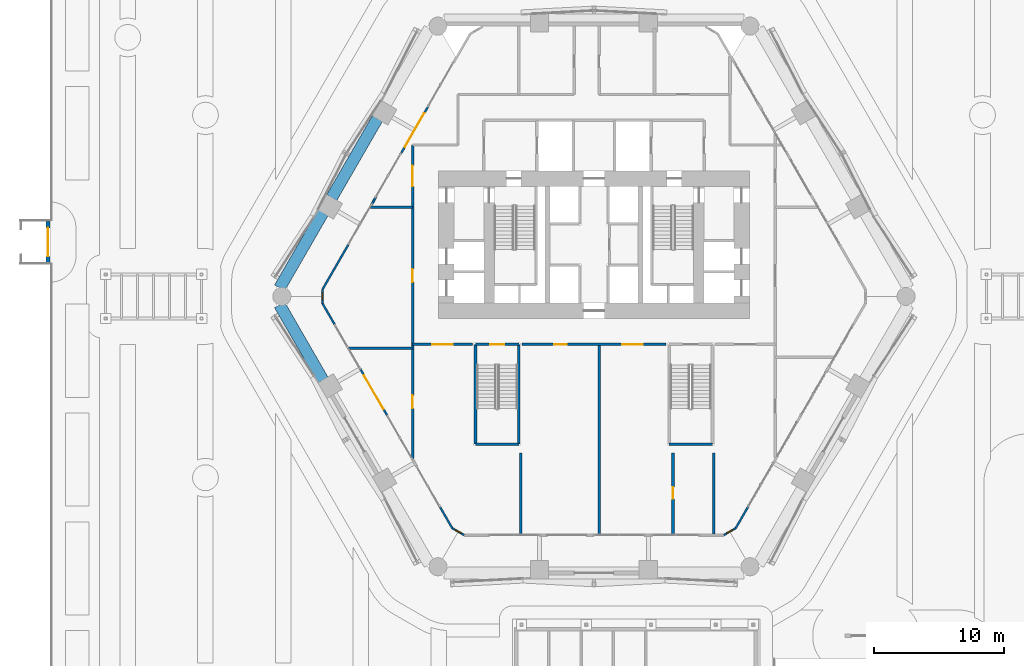
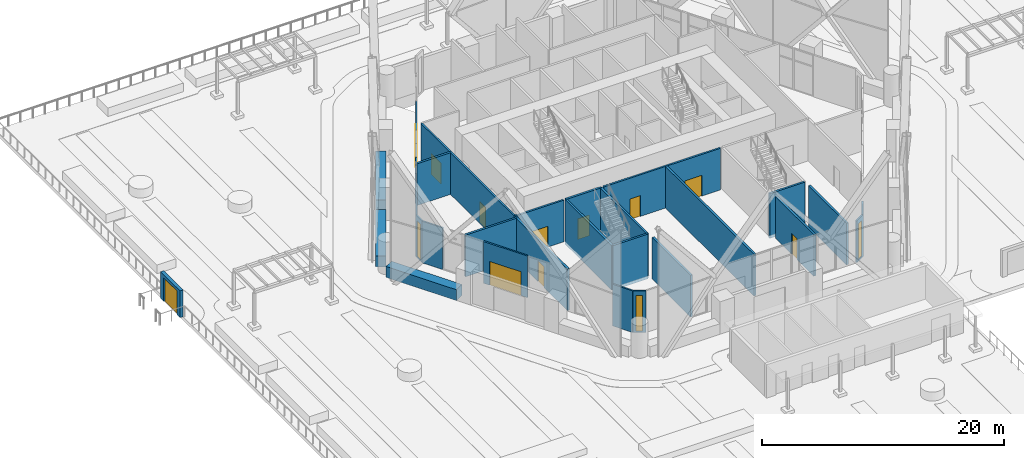
# One storey, part 53 of 71: 29 walls, 11 doors, 3 windows, 14 openings.
"""IFC4 building model written with IfcOpenShell, lengths in metres."""

from ifc_helpers import new_model, si_unit, direction, frame, frame_2d, origin, place, context, subcontext, project, spatial, rectangle, extrude, material, layer, layer_set, type_object, element, fill, save


model = new_model("IFC4")

# Units and contexts
model_context = context("Model", 3, precision=1e-05, world=origin(), true_north=direction((0.0, 1.0)))
body_context = subcontext(model_context, "Body", "Model", "MODEL_VIEW")
ifc_project = project(units=[si_unit("LENGTHUNIT", "METRE"), si_unit("AREAUNIT", "SQUARE_METRE"), si_unit("VOLUMEUNIT", "CUBIC_METRE"), si_unit("PLANEANGLEUNIT", "RADIAN"), si_unit("MASSUNIT", "GRAM", prefix="KILO")], contexts=[model_context])

# Site, building, storey
site_placement = place(None, origin())
site = spatial("IfcSite", under=ifc_project, at=site_placement, CompositionType="ELEMENT")
building_placement = place(site_placement, origin())
building = spatial("IfcBuilding", under=site, at=building_placement, Name="Ostrander Bayou Hotel Tower", CompositionType="ELEMENT")
storey_placement = place(building_placement, frame((0.0, 0.0, 10.0)))
storey = spatial("IfcBuildingStorey", under=building, at=storey_placement, Name="L02", CompositionType="ELEMENT", Elevation=10.0)

# Wall, opening, door
ifc_material_1 = material(Name="Aluminium framed insulated wall", Category="aluminium")
ifc_layer_1 = layer(ifc_material_1, 0.14990234375)
ifc_layer_set_1 = layer_set([ifc_layer_1], Name="GW1 glass-line wall 150 mm")
wall_type_1 = type_object("IfcWallType", Name="GW1 glass-line wall 150 mm", PredefinedType="SOLIDWALL", material=ifc_layer_set_1)
wall_1_placement = place(storey_placement, frame((-12.806396484375, 14.66845703125, 0.0), z_axis=(0.0, 0.0, 1.0), x_axis=(-0.500027713859, -0.866009402589, 0.0)))
wall_1 = element("IfcWall", 1, at=wall_1_placement, inside=storey, type_object=wall_type_1, Name="GW1 L02 NW 2", PredefinedType="SOLIDWALL", context=body_context, shape_type="SweptSolid", body=[
    extrude(rectangle(XDim=4.199951171875, YDim=0.14990234375, at=frame_2d((2.10009765625, 0.0))), origin(), (0.0, 0.0, 1.0), 4.199951171875),
])
opening_1_placement = place(wall_1_placement, frame((0.60009765625, 0.0, 0.0)))
opening_1 = element("IfcOpeningElement", 2, at=opening_1_placement, cuts=wall_1, Name="Opening T02-803", PredefinedType="OPENING", context=body_context, shape_type="SweptSolid", body=[
    extrude(rectangle(XDim=3.0, YDim=2.39990234375, at=frame_2d((1.5, 1.199951171875))), frame((0.0, 0.074951171875, 0.0), z_axis=(0.0, -1.0, 0.0), x_axis=(1.0, 0.0, 0.0)), (0.0, 0.0, 1.0), 0.14990234375),
])
ifc_material_2 = material(Name="Aluminium and clear glass", Category="aluminium")
door_type_1 = type_object("IfcDoorType", Name="SD5 sliding glass door 3000 mm", OperationType="SLIDING_TO_LEFT", PredefinedType="DOOR", material=ifc_material_2)
door_1_placement = place(opening_1_placement, origin())
door_1 = element("IfcDoor", 3, at=door_1_placement, inside=storey, type_object=door_type_1, Name="SD5 L02 NW 2", OperationType="SLIDING_TO_RIGHT", OverallHeight=2.39990234375, OverallWidth=3.0, PredefinedType="DOOR", context=body_context, shape_type="SweptSolid", body=[
    extrude(rectangle(XDim=3.0, YDim=2.39990234375, at=frame_2d((1.5, 1.199951171875))), frame((0.0, 0.02490234375, 0.0), z_axis=(0.0, -1.0, 0.0), x_axis=(1.0, 0.0, 0.0)), (0.0, 0.0, 1.0), 0.050048828125),
])
fill(opening_1, door_1)

# Walls
wall_2_placement = place(storey_placement, frame((-18.95654296875, 4.016357421875, 0.0), z_axis=(0.0, 0.0, 1.0), x_axis=(-0.500009633848, -0.866019841608, 0.0)))
element("IfcWall", 4, at=wall_2_placement, inside=storey, type_object=wall_type_1, Name="GW1 L02 NW end 2", PredefinedType="SOLIDWALL", context=body_context, shape_type="SweptSolid", body=[
    extrude(rectangle(XDim=4.02294921875, YDim=0.14990234375, at=frame_2d((2.011474609375, 0.0))), origin(), (0.0, 0.0, 1.0), 4.199951171875),
])
wall_3_placement = place(storey_placement, frame((-16.8564453125, 7.65380859375, 0.0), z_axis=(0.0, 0.0, 1.0), x_axis=(-0.499945471869, -0.866056883327, 0.0)))
element("IfcWall", 5, at=wall_3_placement, inside=storey, type_object=wall_type_1, Name="GW1 L02 NW pier 4", PredefinedType="SOLIDWALL", context=body_context, shape_type="SweptSolid", body=[
    extrude(rectangle(XDim=0.60009765625, YDim=0.14990234375, at=frame_2d((0.300048828125, 0.0))), origin(), (0.0, 0.0, 1.0), 4.199951171875),
])

# Wall, opening, door
wall_4_placement = place(storey_placement, frame((-18.056396484375, -5.5751953125, 0.0), z_axis=(0.0, 0.0, 1.0), x_axis=(0.49998411664, -0.866034573852, 0.0)))
wall_4 = element("IfcWall", 6, at=wall_4_placement, inside=storey, type_object=wall_type_1, Name="GW1 L02 SW 2", PredefinedType="SOLIDWALL", context=body_context, shape_type="SweptSolid", body=[
    extrude(rectangle(XDim=4.199951171875, YDim=0.14990234375, at=frame_2d((2.10009765625, 0.0))), origin(), (0.0, 0.0, 1.0), 4.199951171875),
])
opening_2_placement = place(wall_4_placement, frame((0.60009765625, 0.0, 0.0)))
opening_2 = element("IfcOpeningElement", 7, at=opening_2_placement, cuts=wall_4, Name="Opening T02-804", PredefinedType="OPENING", context=body_context, shape_type="SweptSolid", body=[
    extrude(rectangle(XDim=3.0, YDim=2.39990234375, at=frame_2d((1.5, 1.199951171875))), frame((0.0, 0.074951171875, 0.0), z_axis=(0.0, -1.0, 0.0), x_axis=(1.0, 0.0, 0.0)), (0.0, 0.0, 1.0), 0.14990234375),
])
door_2_placement = place(opening_2_placement, origin())
door_2 = element("IfcDoor", 8, at=door_2_placement, inside=storey, type_object=door_type_1, Name="SD5 L02 SW 2", OperationType="SLIDING_TO_RIGHT", OverallHeight=2.39990234375, OverallWidth=3.0, PredefinedType="DOOR", context=body_context, shape_type="SweptSolid", body=[
    extrude(rectangle(XDim=3.0, YDim=2.39990234375, at=frame_2d((1.5, 1.199951171875))), frame((0.0, 0.02490234375, 0.0), z_axis=(0.0, -1.0, 0.0), x_axis=(1.0, 0.0, 0.0)), (0.0, 0.0, 1.0), 0.050048828125),
])
fill(opening_2, door_2)

# Walls
for number, where, z_axis, x_axis, name in (
    (9, (-20.968017578125, -0.532470703125, 0.0), (0.0, 0.0, 1.0), (0.499989888488, -0.86603124159, 0.0), "GW1 L02 SW end 1"),
    (10, (-11.906494140625, -16.227294921875, 0.0), (0.0, 0.0, 1.0), (0.499989888488, -0.86603124159, 0.0), "GW1 L02 SW end 2"),
    (11, (10.945068359375, -17.892578125, 0.0), (0.0, 0.0, 1.0), (0.499989888488, 0.86603124159, 0.0), "GW1 L02 SE end 1"),
):
    element("IfcWall", number, at=place(storey_placement, frame(where, z_axis=z_axis, x_axis=x_axis)), inside=storey, type_object=wall_type_1, Name=name, PredefinedType="SOLIDWALL", context=body_context, shape_type="SweptSolid", body=[
        extrude(rectangle(XDim=1.9228515625, YDim=0.14990234375, at=frame_2d((0.96142578125, 0.0))), origin(), (0.0, 0.0, 1.0), 4.199951171875),
    ])

# Wall, opening, window
wall_5_placement = place(storey_placement, frame((-20.968017578125, 0.532470703125, 0.0), z_axis=(0.0, 0.0, 1.0), x_axis=(0.0, -1.0, 0.0)))
wall_5 = element("IfcWall", 12, at=wall_5_placement, inside=storey, type_object=wall_type_1, Name="GW1 L02 corner 2", PredefinedType="SOLIDWALL", context=body_context, shape_type="SweptSolid", body=[
    extrude(rectangle(XDim=1.06494140625, YDim=0.14990234375, at=frame_2d((0.532470703125, 0.0))), origin(), (0.0, 0.0, 1.0), 4.199951171875),
])
opening_3_placement = place(wall_5_placement, frame((0.257568359375, 0.0, 0.14990234375)))
opening_3 = element("IfcOpeningElement", 13, at=opening_3_placement, cuts=wall_5, Name="Opening W19", PredefinedType="OPENING", context=body_context, shape_type="SweptSolid", body=[
    extrude(rectangle(XDim=0.550048828125, YDim=3.60009765625, at=frame_2d((0.27490234375, 1.800048828125))), frame((0.0, 0.074951171875, 0.0), z_axis=(0.0, -1.0, 0.0), x_axis=(1.0, 0.0, 0.0)), (0.0, 0.0, 1.0), 0.14990234375),
])
ifc_material_3 = material(Name="Aluminium and clear glass", Category="aluminium")
window_type = type_object("IfcWindowType", Name="W19 corner window 550 mm", PartitioningType="SINGLE_PANEL", PredefinedType="WINDOW", material=ifc_material_3)
window_1_placement = place(opening_3_placement, origin())
window_1 = element("IfcWindow", 14, at=window_1_placement, inside=storey, type_object=window_type, Name="W19 L02 corner 2", OverallHeight=3.60009765625, OverallWidth=0.550048828125, PartitioningType="SINGLE_PANEL", PredefinedType="WINDOW", context=body_context, shape_type="SweptSolid", body=[
    extrude(rectangle(XDim=0.550048828125, YDim=3.60009765625, at=frame_2d((0.27490234375, 1.800048828125))), frame((0.0, 0.030029296875, 0.0), z_axis=(0.0, -1.0, 0.0), x_axis=(1.0, 0.0, 0.0)), (0.0, 0.0, 1.0), 0.06005859375),
])
fill(opening_3, window_1)

wall_6_placement = place(storey_placement, frame((-10.945068359375, -17.892578125, 0.0), z_axis=(0.0, 0.0, 1.0), x_axis=(0.866048165231, -0.499960573946, 0.0)))
wall_6 = element("IfcWall", 15, at=wall_6_placement, inside=storey, type_object=wall_type_1, Name="GW1 L02 corner 3", PredefinedType="SOLIDWALL", context=body_context, shape_type="SweptSolid", body=[
    extrude(rectangle(XDim=1.06494140625, YDim=0.14990234375, at=frame_2d((0.532470703125, 0.0))), origin(), (0.0, 0.0, 1.0), 4.199951171875),
])
opening_4_placement = place(wall_6_placement, frame((0.257568359375, 0.0, 0.14990234375)))
opening_4 = element("IfcOpeningElement", 16, at=opening_4_placement, cuts=wall_6, Name="Opening W19", PredefinedType="OPENING", context=body_context, shape_type="SweptSolid", body=[
    extrude(rectangle(XDim=0.550048828125, YDim=3.60009765625, at=frame_2d((0.27490234375, 1.800048828125))), frame((0.0, 0.074951171875, 0.0), z_axis=(0.0, -1.0, 0.0), x_axis=(1.0, 0.0, 0.0)), (0.0, 0.0, 1.0), 0.14990234375),
])
window_2_placement = place(opening_4_placement, origin())
window_2 = element("IfcWindow", 17, at=window_2_placement, inside=storey, type_object=window_type, Name="W19 L02 corner 3", OverallHeight=3.60009765625, OverallWidth=0.550048828125, PartitioningType="SINGLE_PANEL", PredefinedType="WINDOW", context=body_context, shape_type="SweptSolid", body=[
    extrude(rectangle(XDim=0.550048828125, YDim=3.60009765625, at=frame_2d((0.27490234375, 1.800048828125))), frame((0.0, 0.030029296875, 0.0), z_axis=(0.0, -1.0, 0.0), x_axis=(1.0, 0.0, 0.0)), (0.0, 0.0, 1.0), 0.06005859375),
])
fill(opening_4, window_2)

wall_7_placement = place(storey_placement, frame((10.022705078125, -18.425048828125, 0.0), z_axis=(0.0, 0.0, 1.0), x_axis=(0.866048165231, 0.499960573946, 0.0)))
wall_7 = element("IfcWall", 18, at=wall_7_placement, inside=storey, type_object=wall_type_1, Name="GW1 L02 corner 4", PredefinedType="SOLIDWALL", context=body_context, shape_type="SweptSolid", body=[
    extrude(rectangle(XDim=1.06494140625, YDim=0.14990234375, at=frame_2d((0.532470703125, 0.0))), origin(), (0.0, 0.0, 1.0), 4.199951171875),
])
opening_5_placement = place(wall_7_placement, frame((0.257568359375, 0.0, 0.14990234375)))
opening_5 = element("IfcOpeningElement", 19, at=opening_5_placement, cuts=wall_7, Name="Opening W19", PredefinedType="OPENING", context=body_context, shape_type="SweptSolid", body=[
    extrude(rectangle(XDim=0.550048828125, YDim=3.60009765625, at=frame_2d((0.27490234375, 1.800048828125))), frame((0.0, 0.074951171875, 0.0), z_axis=(0.0, -1.0, 0.0), x_axis=(1.0, 0.0, 0.0)), (0.0, 0.0, 1.0), 0.14990234375),
])
window_3_placement = place(opening_5_placement, origin())
window_3 = element("IfcWindow", 20, at=window_3_placement, inside=storey, type_object=window_type, Name="W19 L02 corner 4", OverallHeight=3.60009765625, OverallWidth=0.550048828125, PartitioningType="SINGLE_PANEL", PredefinedType="WINDOW", context=body_context, shape_type="SweptSolid", body=[
    extrude(rectangle(XDim=0.550048828125, YDim=3.60009765625, at=frame_2d((0.27490234375, 1.800048828125))), frame((0.0, 0.030029296875, 0.0), z_axis=(0.0, -1.0, 0.0), x_axis=(1.0, 0.0, 0.0)), (0.0, 0.0, 1.0), 0.06005859375),
])
fill(opening_5, window_3)

# Wall, opening, door
ifc_material_4 = material(Name="Reconstituted stone on masonry backing", Category="masonry")
ifc_layer_2 = layer(ifc_material_4, 0.300048828125)
ifc_layer_set_2 = layer_set([ifc_layer_2], Name="NW1 north stone wall 300 mm")
wall_type_2 = type_object("IfcWallType", Name="NW1 north stone wall 300 mm", PredefinedType="SOLIDWALL", material=ifc_layer_set_2)
wall_8_placement = place(storey_placement, frame((-42.14990234375, 5.800048828125, 0.0), z_axis=(0.0, 0.0, 1.0), x_axis=(0.0, -1.0, 0.0)))
wall_8 = element("IfcWall", 21, at=wall_8_placement, inside=storey, type_object=wall_type_2, Name="NW1 garden gate wall W", PredefinedType="SOLIDWALL", context=body_context, shape_type="SweptSolid", body=[
    extrude(rectangle(XDim=3.199951171875, YDim=0.300048828125, at=frame_2d((1.60009765625, 0.0))), origin(), (0.0, 0.0, 1.0), 2.699951171875),
])
opening_6_placement = place(wall_8_placement, frame((0.5, 0.0, 0.0)))
opening_6 = element("IfcOpeningElement", 22, at=opening_6_placement, cuts=wall_8, Name="Opening T02-815", PredefinedType="OPENING", context=body_context, shape_type="SweptSolid", body=[
    extrude(rectangle(XDim=2.199951171875, YDim=2.39990234375, at=frame_2d((1.10009765625, 1.199951171875))), frame((0.0, 0.14990234375, 0.0), z_axis=(0.0, -1.0, 0.0), x_axis=(1.0, 0.0, 0.0)), (0.0, 0.0, 1.0), 0.300048828125),
])
ifc_material_5 = material(Name="Aluminium and clear glass", Category="aluminium")
door_type_2 = type_object("IfcDoorType", Name="GD1 garden gate 2200 mm", OperationType="DOUBLE_DOOR_SINGLE_SWING", PredefinedType="DOOR", material=ifc_material_5)
door_3_placement = place(opening_6_placement, origin())
door_3 = element("IfcDoor", 23, at=door_3_placement, inside=storey, type_object=door_type_2, Name="GD1 garden gate W", OperationType="DOUBLE_DOOR_SINGLE_SWING", OverallHeight=2.39990234375, OverallWidth=2.199951171875, PredefinedType="DOOR", context=body_context, shape_type="SweptSolid", body=[
    extrude(rectangle(XDim=2.199951171875, YDim=2.39990234375, at=frame_2d((1.10009765625, 1.199951171875))), frame((0.0, 0.02490234375, 0.0), z_axis=(0.0, -1.0, 0.0), x_axis=(1.0, 0.0, 0.0)), (0.0, 0.0, 1.0), 0.050048828125),
])
fill(opening_6, door_3)

# Walls
ifc_material_6 = material(Name="Concrete f'c 40 MPa", Category="concrete")
ifc_layer_3 = layer(ifc_material_6, 0.89990234375)
ifc_layer_set_3 = layer_set([ifc_layer_3], Name="PA1 stone-faced parapet 900 mm")
wall_type_3 = type_object("IfcWallType", Name="PA1 stone-faced parapet 900 mm", PredefinedType="PARAPET", material=ifc_layer_set_3)
wall_9_placement = place(storey_placement, frame((-16.726806640625, 13.72802734375, 0.0), z_axis=(0.0, 0.0, 1.0), x_axis=(-0.499997206141, -0.866027016814, 0.0)))
element("IfcWall", 24, at=wall_9_placement, inside=storey, type_object=wall_type_3, Name="PA1 L02 NW-2", PredefinedType="PARAPET", context=body_context, shape_type="SweptSolid", body=[
    extrude(rectangle(XDim=7.05078125, YDim=0.89990234375, at=frame_2d((3.525390625, 0.0))), origin(), (0.0, 0.0, 1.0), 1.10009765625),
])
wall_10_placement = place(storey_placement, frame((-20.92236328125, 6.46142578125, 0.0), z_axis=(0.0, 0.0, 1.0), x_axis=(-0.500005133765, -0.866022439784, 0.0)))
element("IfcWall", 25, at=wall_10_placement, inside=storey, type_object=wall_type_3, Name="PA1 L02 NW-3", PredefinedType="PARAPET", context=body_context, shape_type="SweptSolid", body=[
    extrude(rectangle(XDim=6.70361328125, YDim=0.89990234375, at=frame_2d((3.351806640625, 0.0))), origin(), (0.0, 0.0, 1.0), 1.10009765625),
])
ifc_material_7 = material(Name="Limestone masonry", Category="masonry")
ifc_layer_4 = layer(ifc_material_7, 0.89990234375)
ifc_layer_set_4 = layer_set([ifc_layer_4], Name="PA2 limestone parapet 900 mm")
wall_type_4 = type_object("IfcWallType", Name="PA2 limestone parapet 900 mm", PredefinedType="PARAPET", material=ifc_layer_set_4)
wall_11_placement = place(storey_placement, frame((-24.274169921875, -0.656005859375, 0.0), z_axis=(0.0, 0.0, 1.0), x_axis=(0.500005133765, -0.866022439784, 0.0)))
element("IfcWall", 26, at=wall_11_placement, inside=storey, type_object=wall_type_4, Name="PA2 L02 SW-1", PredefinedType="PARAPET", context=body_context, shape_type="SweptSolid", body=[
    extrude(rectangle(XDim=6.70361328125, YDim=0.89990234375, at=frame_2d((3.351806640625, 0.0))), origin(), (0.0, 0.0, 1.0), 1.10009765625),
])
ifc_material_8 = material(Name="Gypsum board partition", Category="finish")
ifc_layer_5 = layer(ifc_material_8, 0.199951171875)
ifc_layer_set_5 = layer_set([ifc_layer_5], Name="PT3 demising wall 200 mm acoustic double stud, 1 hour")
wall_type_5 = type_object("IfcWallType", Name="PT3 demising wall 200 mm acoustic double stud, 1 hour", PredefinedType="PARTITIONING", material=ifc_layer_set_5)
wall_12_placement = place(storey_placement, frame((-18.94482421875, -4.0, 0.0), z_axis=(0.0, 0.0, 1.0), x_axis=(1.0, 0.0, 0.0)))
element("IfcWall", 27, at=wall_12_placement, inside=storey, type_object=wall_type_5, Name="sw:L02:015", PredefinedType="PARTITIONING", context=body_context, shape_type="SweptSolid", body=[
    extrude(rectangle(XDim=4.94482421875, YDim=0.199951171875, at=frame_2d((2.472412109375, 0.0))), origin(), (0.0, 0.0, 1.0), 4.199951171875),
])
wall_13_placement = place(storey_placement, frame((-17.2705078125, 6.89990234375, 0.0), z_axis=(0.0, 0.0, 1.0), x_axis=(1.0, 0.0, 0.0)))
element("IfcWall", 28, at=wall_13_placement, inside=storey, type_object=wall_type_5, Name="sw:L02:016", PredefinedType="PARTITIONING", context=body_context, shape_type="SweptSolid", body=[
    extrude(rectangle(XDim=3.2705078125, YDim=0.199951171875, at=frame_2d((1.63525390625, 0.0))), origin(), (0.0, 0.0, 1.0), 4.199951171875),
])

# Wall, opening, door
wall_14_placement = place(storey_placement, frame((-14.0, -12.509033203125, 0.0), z_axis=(0.0, 0.0, 1.0), x_axis=(0.0, 1.0, 0.0)))
wall_14 = element("IfcWall", 29, at=wall_14_placement, inside=storey, type_object=wall_type_5, Name="sw:L02:018", PredefinedType="PARTITIONING", context=body_context, shape_type="SweptSolid", body=[
    extrude(rectangle(XDim=8.80908203125, YDim=0.199951171875, at=frame_2d((4.404541015625, 0.0))), origin(), (0.0, 0.0, 1.0), 4.199951171875),
])
opening_7_placement = place(wall_14_placement, frame((3.86328125, 0.0, 0.0)))
opening_7 = element("IfcOpeningElement", 30, at=opening_7_placement, cuts=wall_14, Name="Opening T02-205", PredefinedType="OPENING", context=body_context, shape_type="SweptSolid", body=[
    extrude(rectangle(XDim=1.0, YDim=2.10009765625, at=frame_2d((0.5, 1.050048828125))), frame((0.0, 0.10009765625, 0.0), z_axis=(0.0, -1.0, 0.0), x_axis=(1.0, 0.0, 0.0)), (0.0, 0.0, 1.0), 0.199951171875),
])
ifc_material_9 = material(Name="Timber door leaf", Category="wood")
door_type_3 = type_object("IfcDoorType", Name="D9 service door 1000 x 2100 mm, 30 minute", OperationType="SINGLE_SWING_LEFT", PredefinedType="DOOR", material=ifc_material_9)
door_4_placement = place(opening_7_placement, origin())
door_4 = element("IfcDoor", 31, at=door_4_placement, inside=storey, type_object=door_type_3, Name="dr:L02:205", OperationType="SINGLE_SWING_LEFT", OverallHeight=2.10009765625, OverallWidth=1.0, PredefinedType="DOOR", context=body_context, shape_type="SweptSolid", body=[
    extrude(rectangle(XDim=1.0, YDim=2.10009765625, at=frame_2d((0.5, 1.050048828125))), frame((0.0, 0.02490234375, 0.0), z_axis=(0.0, -1.0, 0.0), x_axis=(1.0, 0.0, 0.0)), (0.0, 0.0, 1.0), 0.050048828125),
])
fill(opening_7, door_4)

# Walls
wall_15_placement = place(storey_placement, frame((-5.64990234375, -18.406005859375, 0.0), z_axis=(0.0, 0.0, 1.0), x_axis=(0.0, 1.0, 0.0)))
element("IfcWall", 32, at=wall_15_placement, inside=storey, type_object=wall_type_5, Name="sw:L02:020", PredefinedType="PARTITIONING", context=body_context, shape_type="SweptSolid", body=[
    extrude(rectangle(XDim=6.325927734375, YDim=0.199951171875, at=frame_2d((3.1630859375, 0.0))), origin(), (0.0, 0.0, 1.0), 4.199951171875),
])
wall_16_placement = place(storey_placement, frame((0.39990234375, -18.406005859375, 0.0), z_axis=(0.0, 0.0, 1.0), x_axis=(0.0, 1.0, 0.0)))
element("IfcWall", 33, at=wall_16_placement, inside=storey, type_object=wall_type_5, Name="sw:L02:021", PredefinedType="PARTITIONING", context=body_context, shape_type="SweptSolid", body=[
    extrude(rectangle(XDim=14.7060546875, YDim=0.199951171875, at=frame_2d((7.35302734375, 0.0))), origin(), (0.0, 0.0, 1.0), 4.199951171875),
])

# Wall, opening, door
wall_17_placement = place(storey_placement, frame((6.10009765625, -18.406005859375, 0.0), z_axis=(0.0, 0.0, 1.0), x_axis=(0.0, 1.0, 0.0)))
wall_17 = element("IfcWall", 34, at=wall_17_placement, inside=storey, type_object=wall_type_5, Name="sw:L02:023", PredefinedType="PARTITIONING", context=body_context, shape_type="SweptSolid", body=[
    extrude(rectangle(XDim=6.325927734375, YDim=0.199951171875, at=frame_2d((3.1630859375, 0.0))), origin(), (0.0, 0.0, 1.0), 4.199951171875),
])
opening_8_placement = place(wall_17_placement, frame((2.781005859375, 0.0, 0.0)))
opening_8 = element("IfcOpeningElement", 35, at=opening_8_placement, cuts=wall_17, Name="Opening T02-203", PredefinedType="OPENING", context=body_context, shape_type="SweptSolid", body=[
    extrude(rectangle(XDim=0.89990234375, YDim=2.10009765625, at=frame_2d((0.449951171875, 1.050048828125))), frame((0.0, 0.10009765625, 0.0), z_axis=(0.0, -1.0, 0.0), x_axis=(1.0, 0.0, 0.0)), (0.0, 0.0, 1.0), 0.199951171875),
])
ifc_material_10 = material(Name="Timber door leaf", Category="wood")
door_type_4 = type_object("IfcDoorType", Name="D8 room door 900 x 2100 mm", OperationType="SINGLE_SWING_LEFT", PredefinedType="DOOR", material=ifc_material_10)
door_5_placement = place(opening_8_placement, origin())
door_5 = element("IfcDoor", 36, at=door_5_placement, inside=storey, type_object=door_type_4, Name="dr:L02:203", OperationType="SINGLE_SWING_LEFT", OverallHeight=2.10009765625, OverallWidth=0.89990234375, PredefinedType="DOOR", context=body_context, shape_type="SweptSolid", body=[
    extrude(rectangle(XDim=0.89990234375, YDim=2.10009765625, at=frame_2d((0.449951171875, 1.050048828125))), frame((0.0, 0.02490234375, 0.0), z_axis=(0.0, -1.0, 0.0), x_axis=(1.0, 0.0, 0.0)), (0.0, 0.0, 1.0), 0.050048828125),
])
fill(opening_8, door_5)

# Wall
wall_18_placement = place(storey_placement, frame((9.25, -18.344970703125, 0.0), z_axis=(0.0, 0.0, 1.0), x_axis=(0.0, 1.0, 0.0)))
element("IfcWall", 37, at=wall_18_placement, inside=storey, type_object=wall_type_5, Name="sw:L02:024", PredefinedType="PARTITIONING", context=body_context, shape_type="SweptSolid", body=[
    extrude(rectangle(XDim=6.264892578125, YDim=0.199951171875, at=frame_2d((3.13232421875, 0.0))), origin(), (0.0, 0.0, 1.0), 4.199951171875),
])

# Wall, opening, door
ifc_material_11 = material(Name="Gypsum board partition", Category="finish")
ifc_layer_6 = layer(ifc_material_11, 0.175048828125)
ifc_layer_set_6 = layer_set([ifc_layer_6], Name="PT4 corridor wall 175 mm, 1 hour")
wall_type_6 = type_object("IfcWallType", Name="PT4 corridor wall 175 mm, 1 hour", PredefinedType="PARTITIONING", material=ifc_layer_set_6)
wall_19_placement = place(storey_placement, frame((-14.0, -3.699951171875, 0.0), z_axis=(0.0, 0.0, 1.0), x_axis=(1.0, 0.0, 0.0)))
wall_19 = element("IfcWall", 38, at=wall_19_placement, inside=storey, type_object=wall_type_6, Name="sw:L02:001", PredefinedType="PARTITIONING", context=body_context, shape_type="SweptSolid", body=[
    extrude(rectangle(XDim=4.6201171875, YDim=0.175048828125, at=frame_2d((2.31005859375, 0.0))), origin(), (0.0, 0.0, 1.0), 4.199951171875),
])
opening_9_placement = place(wall_19_placement, frame((1.510009765625, 0.0, 0.0)))
opening_9 = element("IfcOpeningElement", 39, at=opening_9_placement, cuts=wall_19, Name="Opening T02-200", PredefinedType="OPENING", context=body_context, shape_type="SweptSolid", body=[
    extrude(rectangle(XDim=1.60009765625, YDim=2.10009765625, at=frame_2d((0.800048828125, 1.050048828125))), frame((0.0, 0.08740234375, 0.0), z_axis=(0.0, -1.0, 0.0), x_axis=(1.0, 0.0, 0.0)), (0.0, 0.0, 1.0), 0.175048828125),
])
ifc_material_12 = material(Name="Timber door leaf", Category="wood")
door_type_5 = type_object("IfcDoorType", Name="D13 double door 1600 x 2100 mm, 1 hour", OperationType="SINGLE_SWING_LEFT", PredefinedType="DOOR", material=ifc_material_12)
door_6_placement = place(opening_9_placement, origin())
door_6 = element("IfcDoor", 40, at=door_6_placement, inside=storey, type_object=door_type_5, Name="dr:L02:200", OperationType="DOUBLE_DOOR_SINGLE_SWING", OverallHeight=2.10009765625, OverallWidth=1.60009765625, PredefinedType="DOOR", context=body_context, shape_type="SweptSolid", body=[
    extrude(rectangle(XDim=1.60009765625, YDim=2.10009765625, at=frame_2d((0.800048828125, 1.050048828125))), frame((0.0, 0.02490234375, 0.0), z_axis=(0.0, -1.0, 0.0), x_axis=(1.0, 0.0, 0.0)), (0.0, 0.0, 1.0), 0.050048828125),
])
fill(opening_9, door_6)

# Wall, openings, doors
wall_20_placement = place(storey_placement, frame((-5.570068359375, -3.699951171875, 0.0), z_axis=(0.0, 0.0, 1.0), x_axis=(1.0, 0.0, 0.0)))
wall_20 = element("IfcWall", 41, at=wall_20_placement, inside=storey, type_object=wall_type_6, Name="sw:L02:002", PredefinedType="PARTITIONING", context=body_context, shape_type="SweptSolid", body=[
    extrude(rectangle(XDim=11.14013671875, YDim=0.175048828125, at=frame_2d((5.570068359375, 0.0))), origin(), (0.0, 0.0, 1.0), 4.199951171875),
])
opening_10_placement = place(wall_20_placement, frame((2.485107421875, 0.0, 0.0)))
opening_10 = element("IfcOpeningElement", 42, at=opening_10_placement, cuts=wall_20, Name="Opening T02-201", PredefinedType="OPENING", context=body_context, shape_type="SweptSolid", body=[
    extrude(rectangle(XDim=1.0, YDim=2.10009765625, at=frame_2d((0.5, 1.050048828125))), frame((0.0, 0.08740234375, 0.0), z_axis=(0.0, -1.0, 0.0), x_axis=(1.0, 0.0, 0.0)), (0.0, 0.0, 1.0), 0.175048828125),
])
opening_11_placement = place(wall_20_placement, frame((7.7548828125, 0.0, 0.0)))
opening_11 = element("IfcOpeningElement", 43, at=opening_11_placement, cuts=wall_20, Name="Opening T02-202", PredefinedType="OPENING", context=body_context, shape_type="SweptSolid", body=[
    extrude(rectangle(XDim=1.60009765625, YDim=2.10009765625, at=frame_2d((0.800048828125, 1.050048828125))), frame((0.0, 0.08740234375, 0.0), z_axis=(0.0, -1.0, 0.0), x_axis=(1.0, 0.0, 0.0)), (0.0, 0.0, 1.0), 0.175048828125),
])
door_7_placement = place(opening_11_placement, origin())
door_7 = element("IfcDoor", 44, at=door_7_placement, inside=storey, type_object=door_type_5, Name="dr:L02:202", OperationType="DOUBLE_DOOR_SINGLE_SWING", OverallHeight=2.10009765625, OverallWidth=1.60009765625, PredefinedType="DOOR", context=body_context, shape_type="SweptSolid", body=[
    extrude(rectangle(XDim=1.60009765625, YDim=2.10009765625, at=frame_2d((0.800048828125, 1.050048828125))), frame((0.0, 0.02490234375, 0.0), z_axis=(0.0, -1.0, 0.0), x_axis=(1.0, 0.0, 0.0)), (0.0, 0.0, 1.0), 0.050048828125),
])
fill(opening_11, door_7)
door_8_placement = place(opening_10_placement, origin())
door_8 = element("IfcDoor", 45, at=door_8_placement, inside=storey, type_object=door_type_3, Name="dr:L02:201", OperationType="SINGLE_SWING_LEFT", OverallHeight=2.10009765625, OverallWidth=1.0, PredefinedType="DOOR", context=body_context, shape_type="SweptSolid", body=[
    extrude(rectangle(XDim=1.0, YDim=2.10009765625, at=frame_2d((0.5, 1.050048828125))), frame((0.0, 0.02490234375, 0.0), z_axis=(0.0, -1.0, 0.0), x_axis=(1.0, 0.0, 0.0)), (0.0, 0.0, 1.0), 0.050048828125),
])
fill(opening_10, door_8)

wall_21_placement = place(storey_placement, frame((-14.0, -3.699951171875, 0.0), z_axis=(0.0, 0.0, 1.0), x_axis=(0.0, 1.0, 0.0)))
wall_21 = element("IfcWall", 46, at=wall_21_placement, inside=storey, type_object=wall_type_6, Name="sw:L02:008", PredefinedType="PARTITIONING", context=body_context, shape_type="SweptSolid", body=[
    extrude(rectangle(XDim=15.39990234375, YDim=0.175048828125, at=frame_2d((7.699951171875, 0.0))), origin(), (0.0, 0.0, 1.0), 4.199951171875),
])
opening_12_placement = place(wall_21_placement, frame((4.800048828125, 0.0, 0.0)))
opening_12 = element("IfcOpeningElement", 47, at=opening_12_placement, cuts=wall_21, Name="Opening T02-206", PredefinedType="OPENING", context=body_context, shape_type="SweptSolid", body=[
    extrude(rectangle(XDim=1.0, YDim=2.10009765625, at=frame_2d((0.5, 1.050048828125))), frame((0.0, 0.08740234375, 0.0), z_axis=(0.0, -1.0, 0.0), x_axis=(1.0, 0.0, 0.0)), (0.0, 0.0, 1.0), 0.175048828125),
])
opening_13_placement = place(wall_21_placement, frame((12.199951171875, 0.0, 0.0)))
opening_13 = element("IfcOpeningElement", 48, at=opening_13_placement, cuts=wall_21, Name="Opening T02-209", PredefinedType="OPENING", context=body_context, shape_type="SweptSolid", body=[
    extrude(rectangle(XDim=1.60009765625, YDim=2.10009765625, at=frame_2d((0.800048828125, 1.050048828125))), frame((0.0, 0.08740234375, 0.0), z_axis=(0.0, -1.0, 0.0), x_axis=(1.0, 0.0, 0.0)), (0.0, 0.0, 1.0), 0.175048828125),
])
door_9_placement = place(opening_13_placement, origin())
door_9 = element("IfcDoor", 49, at=door_9_placement, inside=storey, type_object=door_type_5, Name="dr:L02:209", OperationType="DOUBLE_DOOR_SINGLE_SWING", OverallHeight=2.10009765625, OverallWidth=1.60009765625, PredefinedType="DOOR", context=body_context, shape_type="SweptSolid", body=[
    extrude(rectangle(XDim=1.60009765625, YDim=2.10009765625, at=frame_2d((0.800048828125, 1.050048828125))), frame((0.0, 0.02490234375, 0.0), z_axis=(0.0, -1.0, 0.0), x_axis=(1.0, 0.0, 0.0)), (0.0, 0.0, 1.0), 0.050048828125),
])
fill(opening_13, door_9)
door_10_placement = place(opening_12_placement, origin())
door_10 = element("IfcDoor", 50, at=door_10_placement, inside=storey, type_object=door_type_3, Name="dr:L02:206", OperationType="SINGLE_SWING_RIGHT", OverallHeight=2.10009765625, OverallWidth=1.0, PredefinedType="DOOR", context=body_context, shape_type="SweptSolid", body=[
    extrude(rectangle(XDim=1.0, YDim=2.10009765625, at=frame_2d((0.5, 1.050048828125))), frame((0.0, 0.02490234375, 0.0), z_axis=(0.0, -1.0, 0.0), x_axis=(1.0, 0.0, 0.0)), (0.0, 0.0, 1.0), 0.050048828125),
])
fill(opening_12, door_10)

# Wall
ifc_material_13 = material(Name="Concrete f'c 45 MPa", Category="concrete")
ifc_layer_7 = layer(ifc_material_13, 0.199951171875)
ifc_layer_set_7 = layer_set([ifc_layer_7], Name="SW5 stair enclosure wall 200 mm f'c 45 MPa")
wall_type_7 = type_object("IfcWallType", Name="SW5 stair enclosure wall 200 mm f'c 45 MPa", PredefinedType="SOLIDWALL", material=ifc_layer_set_7)
wall_22_placement = place(storey_placement, frame((5.800048828125, -11.39990234375, -0.300048828125), z_axis=(0.0, 0.0, 1.0), x_axis=(1.0, 0.0, 0.0)))
element("IfcWall", 51, at=wall_22_placement, inside=storey, type_object=wall_type_7, Name="cs:L02:018", PredefinedType="SOLIDWALL", context=body_context, shape_type="SweptSolid", body=[
    extrude(rectangle(XDim=3.349853515625, YDim=0.199951171875, at=frame_2d((1.6748046875, 0.0))), origin(), (0.0, 0.0, 1.0), 4.5),
])

# Wall, opening, door
wall_23_placement = place(storey_placement, frame((-9.14990234375, -3.699951171875, -0.300048828125), z_axis=(0.0, 0.0, 1.0), x_axis=(1.0, 0.0, 0.0)))
wall_23 = element("IfcWall", 52, at=wall_23_placement, inside=storey, type_object=wall_type_7, Name="cs:L02:019", PredefinedType="SOLIDWALL", context=body_context, shape_type="SweptSolid", body=[
    extrude(rectangle(XDim=3.349853515625, YDim=0.199951171875, at=frame_2d((1.6748046875, 0.0))), origin(), (0.0, 0.0, 1.0), 4.5),
])
opening_14_placement = place(wall_23_placement, frame((1.125, 0.0, 0.0)))
opening_14 = element("IfcOpeningElement", 53, at=opening_14_placement, cuts=wall_23, Name="Opening T02-008", PredefinedType="OPENING", context=body_context, shape_type="SweptSolid", body=[
    extrude(rectangle(XDim=1.10009765625, YDim=2.10009765625, at=frame_2d((0.550048828125, 1.050048828125))), frame((0.0, 0.10009765625, 0.0), z_axis=(0.0, -1.0, 0.0), x_axis=(1.0, 0.0, 0.0)), (0.0, 0.0, 1.0), 0.199951171875),
])
ifc_material_14 = material(Name="Timber door leaf", Category="wood")
door_type_6 = type_object("IfcDoorType", Name="D5 stair door 1100 x 2100 mm, 90 minute", OperationType="SINGLE_SWING_LEFT", PredefinedType="DOOR", material=ifc_material_14)
door_11_placement = place(opening_14_placement, origin())
door_11 = element("IfcDoor", 54, at=door_11_placement, inside=storey, type_object=door_type_6, Name="dr:L02:008", OperationType="SINGLE_SWING_LEFT", OverallHeight=2.10009765625, OverallWidth=1.10009765625, PredefinedType="DOOR", context=body_context, shape_type="SweptSolid", body=[
    extrude(rectangle(XDim=1.10009765625, YDim=2.10009765625, at=frame_2d((0.550048828125, 1.050048828125))), frame((0.0, 0.02490234375, 0.0), z_axis=(0.0, -1.0, 0.0), x_axis=(1.0, 0.0, 0.0)), (0.0, 0.0, 1.0), 0.050048828125),
])
fill(opening_14, door_11)

# Walls
for number, where, z_axis, x_axis, name in (
    (55, (-9.14990234375, -3.699951171875, -0.300048828125), (0.0, 0.0, 1.0), (0.0, -1.0, 0.0), "cs:L02:020"),
    (56, (-5.800048828125, -3.699951171875, -0.300048828125), (0.0, 0.0, 1.0), (0.0, -1.0, 0.0), "cs:L02:021"),
):
    element("IfcWall", number, at=place(storey_placement, frame(where, z_axis=z_axis, x_axis=x_axis)), inside=storey, type_object=wall_type_7, Name=name, PredefinedType="SOLIDWALL", context=body_context, shape_type="SweptSolid", body=[
        extrude(rectangle(XDim=7.699951171875, YDim=0.199951171875, at=frame_2d((3.85009765625, 0.0))), origin(), (0.0, 0.0, 1.0), 4.5),
    ])
wall_24_placement = place(storey_placement, frame((-9.14990234375, -11.39990234375, -0.300048828125), z_axis=(0.0, 0.0, 1.0), x_axis=(1.0, 0.0, 0.0)))
element("IfcWall", 57, at=wall_24_placement, inside=storey, type_object=wall_type_7, Name="cs:L02:022", PredefinedType="SOLIDWALL", context=body_context, shape_type="SweptSolid", body=[
    extrude(rectangle(XDim=3.349853515625, YDim=0.199951171875, at=frame_2d((1.6748046875, 0.0))), origin(), (0.0, 0.0, 1.0), 4.5),
])

save(model, "model.ifc")
